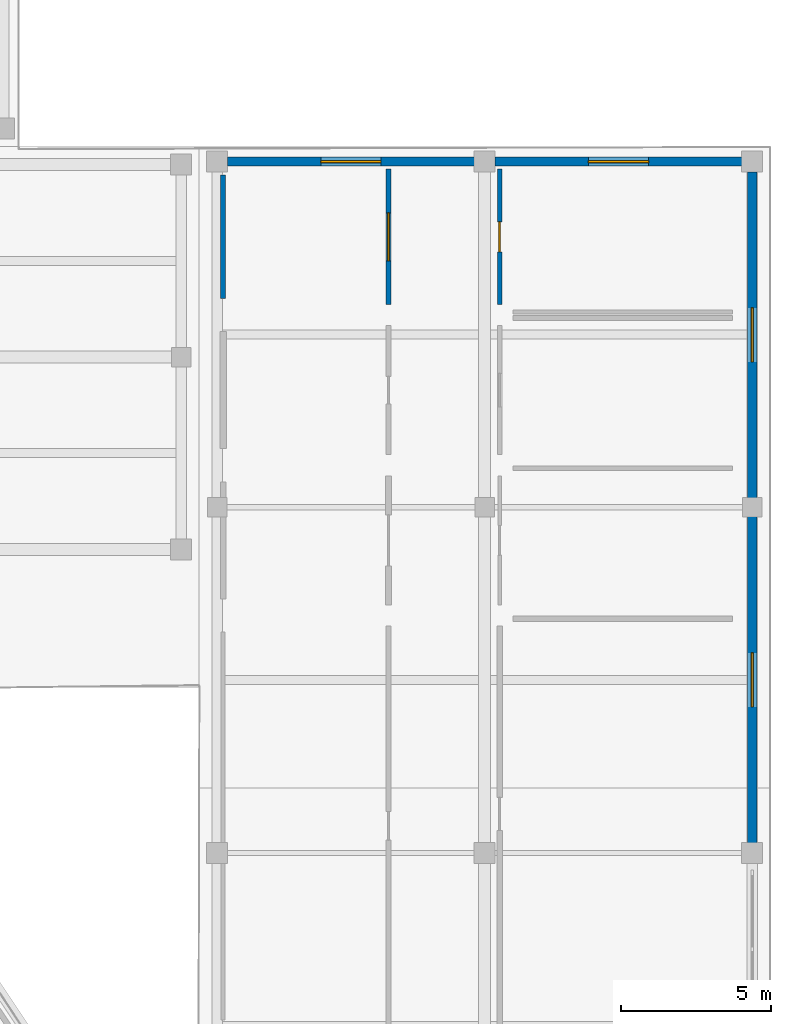
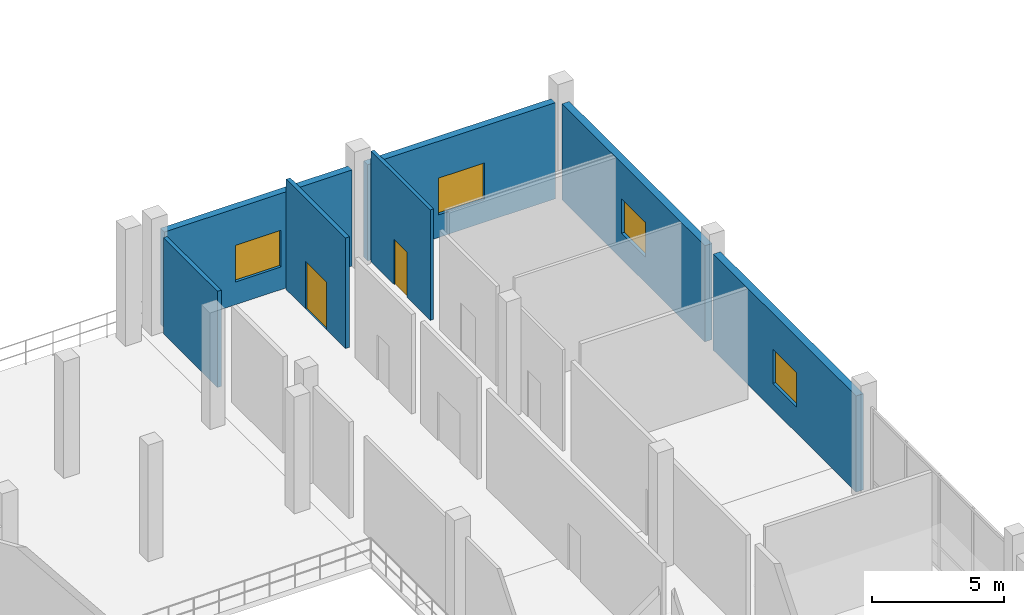
# One storey, part 87 of 127: 7 walls, 4 windows, 2 doors, 6 openings.
"""IFC4 building model written with IfcOpenShell, lengths in metres."""

from ifc_helpers import new_model, si_unit, direction, frame, frame_2d, origin, place, context, subcontext, project, spatial, rectangle, extrude, material, layer, layer_set, type_object, element, fill, save


model = new_model("IFC4")

# Units and contexts
model_context = context("Model", 3, precision=1e-05, world=origin(), true_north=direction((0.0, 1.0)))
body_context = subcontext(model_context, "Body", "Model", "MODEL_VIEW")
ifc_project = project(units=[si_unit("LENGTHUNIT", "METRE"), si_unit("AREAUNIT", "SQUARE_METRE"), si_unit("VOLUMEUNIT", "CUBIC_METRE"), si_unit("PLANEANGLEUNIT", "RADIAN"), si_unit("MASSUNIT", "GRAM", prefix="KILO")], contexts=[model_context])

# Site, building, storey
site_placement = place(None, origin())
site = spatial("IfcSite", under=ifc_project, at=site_placement, CompositionType="ELEMENT")
building_placement = place(site_placement, origin())
building = spatial("IfcBuilding", under=site, at=building_placement, Name="Candeia Ridge Stadium", CompositionType="ELEMENT")
storey_placement = place(building_placement, frame((0.0, 0.0, 10.800048828125)))
storey = spatial("IfcBuildingStorey", under=building, at=storey_placement, Name="L02", CompositionType="ELEMENT", Elevation=10.800048828125)

# Wall, opening, door
ifc_material_1 = material(Name="Concrete Masonry Blockwork C25/30", Category="masonry")
ifc_layer_1 = layer(ifc_material_1, 0.14990234375, Name="Concrete Masonry Blockwork C25/30", Category="masonry")
ifc_layer_set_1 = layer_set([ifc_layer_1], Name="Concrete Masonry Blockwork C25/30")
wall_type_1 = type_object("IfcWallType", Name="Concourse Kiosk Partition 150", PredefinedType="PARTITIONING", material=ifc_layer_set_1)
wall_1_placement = place(storey_placement, frame((203.0, 141.75, 0.0), z_axis=(0.0, 0.0, 1.0), x_axis=(0.0, 1.0, 0.0)))
wall_1 = element("IfcWall", 1, at=wall_1_placement, inside=storey, type_object=wall_type_1, Name="Interior partition PT-L02-0385", PredefinedType="PARTITIONING", context=body_context, shape_type="SweptSolid", body=[
    extrude(rectangle(XDim=4.5, YDim=0.14990234375, at=frame_2d((2.25, 0.0))), origin(), (0.0, 0.0, 1.0), 5.119873046875),
])
opening_1_placement = place(wall_1_placement, frame((1.75, 0.0, 0.0)))
opening_1 = element("IfcOpeningElement", 2, at=opening_1_placement, cuts=wall_1, Name="Opening ID06", PredefinedType="OPENING", context=body_context, shape_type="SweptSolid", body=[
    extrude(rectangle(XDim=1.0, YDim=2.10009765625, at=frame_2d((0.5, 1.050048828125))), frame((0.0, 0.0849609375, 0.0), z_axis=(0.0, -1.0, 0.0), x_axis=(1.0, 0.0, 0.0)), (0.0, 0.0, 1.0), 0.169921875),
])
ifc_material_2 = material(Name="Moisture-Resistant Laminate", Category="wood")
door_type_1 = type_object("IfcDoorType", Name="Accessible Sanitary Door 1000x2100", OperationType="NOTDEFINED", PredefinedType="DOOR", material=ifc_material_2)
door_1_placement = place(opening_1_placement, origin())
door_1 = element("IfcDoor", 3, at=door_1_placement, inside=storey, type_object=door_type_1, Name="Interior room door D-L02-0200", OperationType="SINGLE_SWING_RIGHT", OverallHeight=2.10009765625, OverallWidth=1.0, PredefinedType="DOOR", context=body_context, shape_type="SweptSolid", body=[
    extrude(rectangle(XDim=1.0, YDim=2.10009765625, at=frame_2d((0.5, 1.050048828125))), frame((0.0, 0.02490234375, 0.0), z_axis=(0.0, -1.0, 0.0), x_axis=(1.0, 0.0, 0.0)), (0.0, 0.0, 1.0), 0.050048828125),
])
fill(opening_1, door_1)

ifc_material_3 = material(Name="Gypsum Acoustic Twin-Stud Assembly", Category="gypsum")
ifc_layer_2 = layer(ifc_material_3, 0.179931640625, Name="Gypsum Acoustic Twin-Stud Assembly", Category="gypsum")
ifc_layer_set_2 = layer_set([ifc_layer_2], Name="Gypsum Acoustic Twin-Stud Assembly")
wall_type_2 = type_object("IfcWallType", Name="Corridor Fire Partition 180", PredefinedType="PARTITIONING", material=ifc_layer_set_2)
wall_2_placement = place(storey_placement, frame((199.300048828125, 146.25, 0.0), z_axis=(0.0, 0.0, 1.0), x_axis=(0.0, -1.0, 0.0)))
wall_2 = element("IfcWall", 4, at=wall_2_placement, inside=storey, type_object=wall_type_2, Name="Interior partition PT-L02-0383", PredefinedType="PARTITIONING", context=body_context, shape_type="SweptSolid", body=[
    extrude(rectangle(XDim=4.5, YDim=0.179931640625, at=frame_2d((2.25, 0.0))), origin(), (0.0, 0.0, 1.0), 5.119873046875),
])
opening_2_placement = place(wall_2_placement, frame((1.449951171875, 0.0, 0.0)))
opening_2 = element("IfcOpeningElement", 5, at=opening_2_placement, cuts=wall_2, Name="Opening ID03", PredefinedType="OPENING", context=body_context, shape_type="SweptSolid", body=[
    extrude(rectangle(XDim=1.60009765625, YDim=2.199951171875, at=frame_2d((0.800048828125, 1.10009765625))), frame((0.0, 0.099853515625, 0.0), z_axis=(0.0, -1.0, 0.0), x_axis=(1.0, 0.0, 0.0)), (0.0, 0.0, 1.0), 0.199951171875),
])
ifc_material_4 = material(Name="Solid Core Hardwood Veneer", Category="wood")
door_type_2 = type_object("IfcDoorType", Name="Athlete Dressing Double Door 1600x2200", OperationType="NOTDEFINED", PredefinedType="DOOR", material=ifc_material_4)
door_2_placement = place(opening_2_placement, origin())
door_2 = element("IfcDoor", 6, at=door_2_placement, inside=storey, type_object=door_type_2, Name="Interior room door D-L02-0199", OperationType="DOUBLE_DOOR_SINGLE_SWING", OverallHeight=2.199951171875, OverallWidth=1.60009765625, PredefinedType="DOOR", context=body_context, shape_type="SweptSolid", body=[
    extrude(rectangle(XDim=1.60009765625, YDim=2.199951171875, at=frame_2d((0.800048828125, 1.10009765625))), frame((0.0, 0.02490234375, 0.0), z_axis=(0.0, -1.0, 0.0), x_axis=(1.0, 0.0, 0.0)), (0.0, 0.0, 1.0), 0.050048828125),
])
fill(opening_2, door_2)

# Wall, opening, window
ifc_material_5 = material(Name="Concrete C35/45", Category="concrete")
ifc_layer_3 = layer(ifc_material_5, 0.320068359375, Name="Concrete C35/45", Category="concrete")
ifc_layer_set_3 = layer_set([ifc_layer_3], Name="Concrete C35/45")
wall_type_3 = type_object("IfcWallType", Name="Exterior Cedar-Clad Insulated Wall 320", PredefinedType="SOLIDWALL", material=ifc_layer_set_3)
wall_3_placement = place(storey_placement, frame((211.39990234375, 123.837890625, 0.0), z_axis=(0.0, 0.0, 1.0), x_axis=(0.0, 1.0, 0.0)))
wall_3 = element("IfcWall", 7, at=wall_3_placement, inside=storey, type_object=wall_type_3, Name="Exterior facade wall EW-L02-0148", PredefinedType="SOLIDWALL", context=body_context, shape_type="SweptSolid", body=[
    extrude(rectangle(XDim=10.84912109375, YDim=0.320068359375, at=frame_2d((5.424560546875, 0.0))), origin(), (0.0, 0.0, 1.0), 4.454833984375),
])
opening_3_placement = place(wall_3_placement, frame((4.5244140625, 0.0, 1.199951171875)))
opening_3 = element("IfcOpeningElement", 8, at=opening_3_placement, cuts=wall_3, Name="Opening W08", PredefinedType="OPENING", context=body_context, shape_type="SweptSolid", body=[
    extrude(rectangle(XDim=1.800048828125, YDim=1.60009765625, at=frame_2d((0.89990234375, 0.800048828125))), frame((0.0, 0.169921875, 0.0), z_axis=(0.0, -1.0, 0.0), x_axis=(1.0, 0.0, 0.0)), (0.0, 0.0, 1.0), 0.340087890625),
])
ifc_material_6 = material(Name="Tempered Solar-Control Double Glazing", Category="glass")
window_type_1 = type_object("IfcWindowType", Name="Athlete Suite Window 1800x1600", PartitioningType="SINGLE_PANEL", PredefinedType="WINDOW", material=ifc_material_6)
window_1_placement = place(opening_3_placement, origin())
window_1 = element("IfcWindow", 9, at=window_1_placement, inside=storey, type_object=window_type_1, Name="Exterior window WIN-L02-085", OverallHeight=1.60009765625, OverallWidth=1.800048828125, PartitioningType="SINGLE_PANEL", PredefinedType="WINDOW", context=body_context, shape_type="SweptSolid", body=[
    extrude(rectangle(XDim=1.800048828125, YDim=1.60009765625, at=frame_2d((0.89990234375, 0.800048828125))), frame((0.0, 0.030029296875, 0.0), z_axis=(0.0, -1.0, 0.0), x_axis=(1.0, 0.0, 0.0)), (0.0, 0.0, 1.0), 0.06005859375),
])
fill(opening_3, window_1)

wall_4_placement = place(storey_placement, frame((211.39990234375, 135.31298828125, 0.0), z_axis=(0.0, 0.0, 1.0), x_axis=(0.0, 1.0, 0.0)))
wall_4 = element("IfcWall", 10, at=wall_4_placement, inside=storey, type_object=wall_type_3, Name="Exterior facade wall EW-L02-0149", PredefinedType="SOLIDWALL", context=body_context, shape_type="SweptSolid", body=[
    extrude(rectangle(XDim=10.84912109375, YDim=0.320068359375, at=frame_2d((5.424560546875, 0.0))), origin(), (0.0, 0.0, 1.0), 4.454833984375),
])
opening_4_placement = place(wall_4_placement, frame((4.5244140625, 0.0, 1.199951171875)))
opening_4 = element("IfcOpeningElement", 11, at=opening_4_placement, cuts=wall_4, Name="Opening W08", PredefinedType="OPENING", context=body_context, shape_type="SweptSolid", body=[
    extrude(rectangle(XDim=1.800048828125, YDim=1.60009765625, at=frame_2d((0.89990234375, 0.800048828125))), frame((0.0, 0.169921875, 0.0), z_axis=(0.0, -1.0, 0.0), x_axis=(1.0, 0.0, 0.0)), (0.0, 0.0, 1.0), 0.340087890625),
])
window_2_placement = place(opening_4_placement, origin())
window_2 = element("IfcWindow", 12, at=window_2_placement, inside=storey, type_object=window_type_1, Name="Exterior window WIN-L02-086", OverallHeight=1.60009765625, OverallWidth=1.800048828125, PartitioningType="SINGLE_PANEL", PredefinedType="WINDOW", context=body_context, shape_type="SweptSolid", body=[
    extrude(rectangle(XDim=1.800048828125, YDim=1.60009765625, at=frame_2d((0.89990234375, 0.800048828125))), frame((0.0, 0.030029296875, 0.0), z_axis=(0.0, -1.0, 0.0), x_axis=(1.0, 0.0, 0.0)), (0.0, 0.0, 1.0), 0.06005859375),
])
fill(opening_4, window_2)

ifc_layer_4 = layer(ifc_material_5, 0.300048828125, Name="Concrete C35/45", Category="concrete")
ifc_layer_set_4 = layer_set([ifc_layer_4], Name="Concrete C35/45")
wall_type_4 = type_object("IfcWallType", Name="Exterior Pavilion Rainscreen Wall 300", PredefinedType="SOLIDWALL", material=ifc_layer_set_4)
wall_5_placement = place(storey_placement, frame((193.93798828125, 146.5, 0.0), z_axis=(0.0, 0.0, 1.0), x_axis=(1.0, 0.0, 0.0)))
wall_5 = element("IfcWall", 13, at=wall_5_placement, inside=storey, type_object=wall_type_4, Name="Exterior facade wall EW-L02-0152", PredefinedType="SOLIDWALL", context=body_context, shape_type="SweptSolid", body=[
    extrude(rectangle(XDim=8.22412109375, YDim=0.300048828125, at=frame_2d((4.112060546875, 0.0))), origin(), (0.0, 0.0, 1.0), 4.454833984375),
])
opening_5_placement = place(wall_5_placement, frame((3.112060546875, 0.0, 1.050048828125)))
opening_5 = element("IfcOpeningElement", 14, at=opening_5_placement, cuts=wall_5, Name="Opening W12", PredefinedType="OPENING", context=body_context, shape_type="SweptSolid", body=[
    extrude(rectangle(XDim=2.0, YDim=1.699951171875, at=frame_2d((1.0, 0.85009765625))), frame((0.0, 0.159912109375, 0.0), z_axis=(0.0, -1.0, 0.0), x_axis=(1.0, 0.0, 0.0)), (0.0, 0.0, 1.0), 0.320068359375),
])
window_type_2 = type_object("IfcWindowType", Name="Community Room Window 2000x1700", PartitioningType="SINGLE_PANEL", PredefinedType="WINDOW", material=ifc_material_6)
window_3_placement = place(opening_5_placement, origin())
window_3 = element("IfcWindow", 15, at=window_3_placement, inside=storey, type_object=window_type_2, Name="Exterior window WIN-L02-089", OverallHeight=1.699951171875, OverallWidth=2.0, PartitioningType="SINGLE_PANEL", PredefinedType="WINDOW", context=body_context, shape_type="SweptSolid", body=[
    extrude(rectangle(XDim=2.0, YDim=1.699951171875, at=frame_2d((1.0, 0.85009765625))), frame((0.0, 0.030029296875, 0.0), z_axis=(0.0, -1.0, 0.0), x_axis=(1.0, 0.0, 0.0)), (0.0, 0.0, 1.0), 0.06005859375),
])
fill(opening_5, window_3)

wall_6_placement = place(storey_placement, frame((202.837890625, 146.5, 0.0), z_axis=(0.0, 0.0, 1.0), x_axis=(1.0, 0.0, 0.0)))
wall_6 = element("IfcWall", 16, at=wall_6_placement, inside=storey, type_object=wall_type_4, Name="Exterior facade wall EW-L02-0153", PredefinedType="SOLIDWALL", context=body_context, shape_type="SweptSolid", body=[
    extrude(rectangle(XDim=8.22412109375, YDim=0.300048828125, at=frame_2d((4.112060546875, 0.0))), origin(), (0.0, 0.0, 1.0), 4.454833984375),
])
opening_6_placement = place(wall_6_placement, frame((3.112060546875, 0.0, 1.050048828125)))
opening_6 = element("IfcOpeningElement", 17, at=opening_6_placement, cuts=wall_6, Name="Opening W12", PredefinedType="OPENING", context=body_context, shape_type="SweptSolid", body=[
    extrude(rectangle(XDim=2.0, YDim=1.699951171875, at=frame_2d((1.0, 0.85009765625))), frame((0.0, 0.159912109375, 0.0), z_axis=(0.0, -1.0, 0.0), x_axis=(1.0, 0.0, 0.0)), (0.0, 0.0, 1.0), 0.320068359375),
])
window_4_placement = place(opening_6_placement, origin())
window_4 = element("IfcWindow", 18, at=window_4_placement, inside=storey, type_object=window_type_2, Name="Exterior window WIN-L02-090", OverallHeight=1.699951171875, OverallWidth=2.0, PartitioningType="SINGLE_PANEL", PredefinedType="WINDOW", context=body_context, shape_type="SweptSolid", body=[
    extrude(rectangle(XDim=2.0, YDim=1.699951171875, at=frame_2d((1.0, 0.85009765625))), frame((0.0, 0.030029296875, 0.0), z_axis=(0.0, -1.0, 0.0), x_axis=(1.0, 0.0, 0.0)), (0.0, 0.0, 1.0), 0.06005859375),
])
fill(opening_6, window_4)

# Wall
ifc_layer_5 = layer(ifc_material_3, 0.169921875, Name="Gypsum Acoustic Twin-Stud Assembly", Category="gypsum")
ifc_layer_set_5 = layer_set([ifc_layer_5], Name="Gypsum Acoustic Twin-Stud Assembly")
wall_type_5 = type_object("IfcWallType", Name="Skybox Demising Acoustic Wall 170", PredefinedType="PARTITIONING", material=ifc_layer_set_5)
wall_7_placement = place(storey_placement, frame((193.800048828125, 141.949951171875, 0.0), z_axis=(0.0, 0.0, 1.0), x_axis=(0.0, 1.0, 0.0)))
element("IfcWall", 19, at=wall_7_placement, inside=storey, type_object=wall_type_5, Name="Demising partition PT-L02-0384", PredefinedType="PARTITIONING", context=body_context, shape_type="SweptSolid", body=[
    extrude(rectangle(XDim=4.10009765625, YDim=0.169921875, at=frame_2d((2.050048828125, 0.0))), origin(), (0.0, 0.0, 1.0), 4.454833984375),
])

save(model, "model.ifc")
